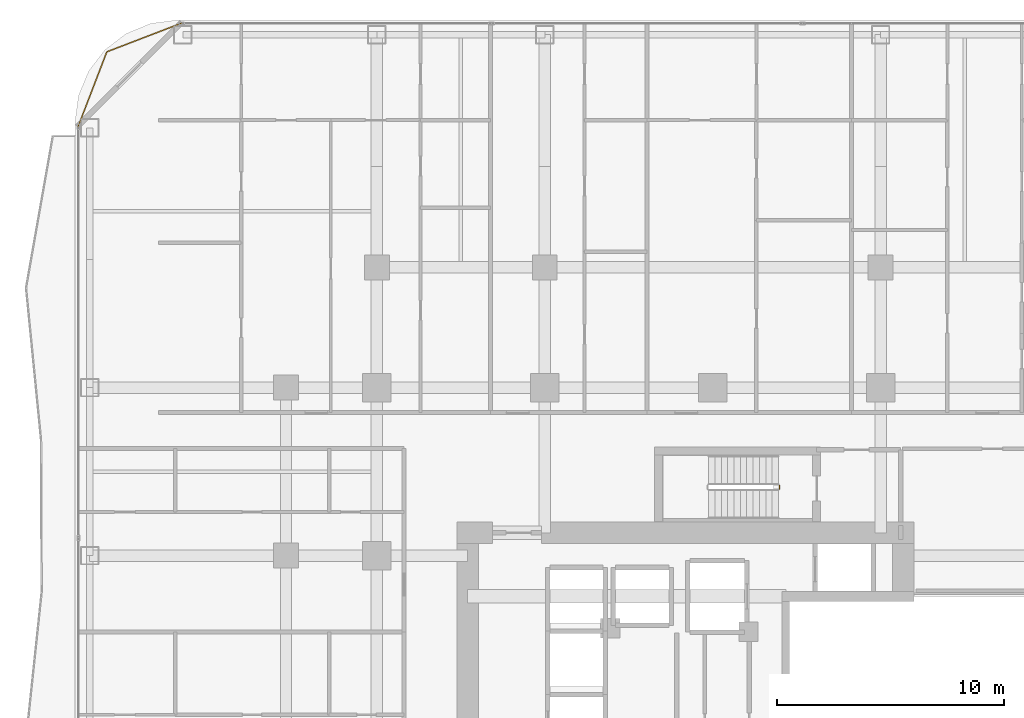
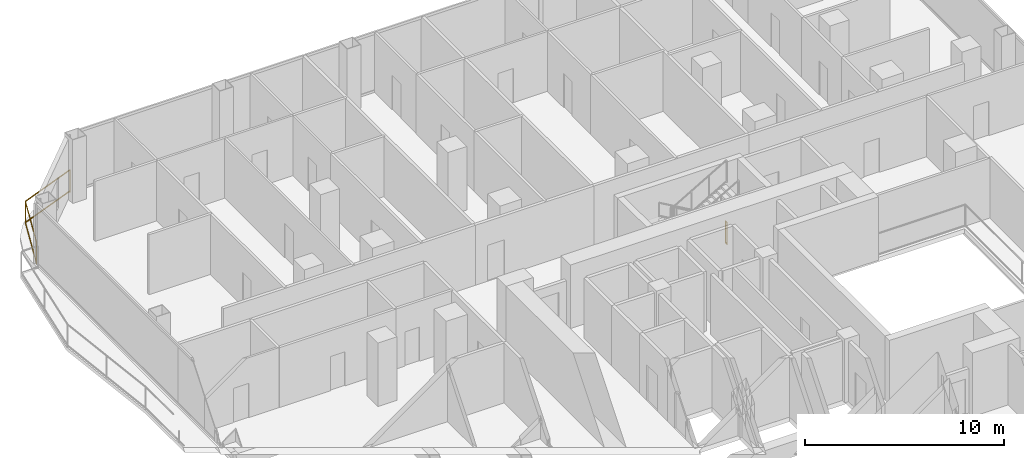
# One storey, part 28 of 29: 2 railings.
"""IFC4 building model written with IfcOpenShell, lengths in metres."""

from ifc_helpers import new_model, si_unit, direction, frame, origin, origin_2d, place, context, subcontext, project, spatial, rectangle, extrude, material, type_object, element, save


model = new_model("IFC4")

# Units and contexts
model_context = context("Model", 3, precision=1e-05, world=origin(), true_north=direction((0.0, 1.0)))
body_context = subcontext(model_context, "Body", "Model", "MODEL_VIEW")
ifc_project = project(units=[si_unit("LENGTHUNIT", "METRE"), si_unit("AREAUNIT", "SQUARE_METRE"), si_unit("VOLUMEUNIT", "CUBIC_METRE"), si_unit("PLANEANGLEUNIT", "RADIAN"), si_unit("MASSUNIT", "GRAM", prefix="KILO")], contexts=[model_context])

# Site, building, storey
site_placement = place(None, origin())
site = spatial("IfcSite", under=ifc_project, at=site_placement, CompositionType="ELEMENT")
building_placement = place(site_placement, origin())
building = spatial("IfcBuilding", under=site, at=building_placement, Name="Khorvyn Point Tower", CompositionType="ELEMENT")
storey_placement = place(building_placement, frame((0.0, 0.0, 85.199951171875)))
storey = spatial("IfcBuildingStorey", under=building, at=storey_placement, Name="L21", CompositionType="ELEMENT", Elevation=85.199951171875)

# Railings
ifc_material_1 = material(Name="Anodised aluminium 6063-T6 and laminated safety glass", Category="aluminium")
railing_type_1 = type_object("IfcRailingType", Name="Laminated Glass and Aluminium Balcony Guardrail 1400", PredefinedType="BALUSTRADE", material=ifc_material_1)
railing_1_placement = place(storey_placement, frame((-23.370849609375, 30.8740234375, 0.0)))
element("IfcRailing", 1, at=railing_1_placement, inside=storey, type_object=railing_type_1, Name="L21 Rounded Corner Edge Guardrail NW", PredefinedType="BALUSTRADE", context=body_context, shape_type="SweptSolid", body=[
    extrude(rectangle(XDim=0.048095703125, YDim=0.048095703125, at=origin_2d()), frame((0.0, 0.0, 1.3759765625), z_axis=(-0.933575007025, -0.358382067435, 0.0), x_axis=(0.358382067435, -0.933575007025, 0.0)), (0.0, 0.0, 1.0), 3.562744140625),
    extrude(rectangle(XDim=0.048095703125, YDim=0.048095703125, at=origin_2d()), frame((0.0, 0.0, 0.080078125), z_axis=(-0.933575007025, -0.358382067435, 0.0), x_axis=(0.358382067435, -0.933575007025, 0.0)), (0.0, 0.0, 1.0), 3.562744140625),
    extrude(rectangle(XDim=0.048095703125, YDim=0.048095703125, at=origin_2d()), frame((-3.326171875, -1.27685546875, 1.3759765625), z_axis=(-0.35841886047, -0.933560882031, 0.0), x_axis=(0.933560882031, -0.35841886047, 0.0)), (0.0, 0.0, 1.0), 3.563232421875),
    extrude(rectangle(XDim=0.048095703125, YDim=0.048095703125, at=origin_2d()), frame((-3.326171875, -1.27685546875, 0.080078125), z_axis=(-0.35841886047, -0.933560882031, 0.0), x_axis=(0.933560882031, -0.35841886047, 0.0)), (0.0, 0.0, 1.0), 3.563232421875),
    extrude(rectangle(XDim=0.0419921875, YDim=0.0419921875, at=origin_2d()), origin(), (0.0, 0.0, 1.0), 1.351806640625),
    extrude(rectangle(XDim=0.0419921875, YDim=0.0419921875, at=origin_2d()), frame((-3.326171875, -1.27685546875, 0.0)), (0.0, 0.0, 1.0), 1.351806640625),
    extrude(rectangle(XDim=0.0419921875, YDim=0.0419921875, at=origin_2d()), frame((-4.603271484375, -4.603271484375, 0.0)), (0.0, 0.0, 1.0), 1.351806640625),
])
ifc_material_2 = material(Name="Stainless steel 1.4301", Category="steel")
railing_type_2 = type_object("IfcRailingType", Name="Stainless Steel 304 Stair Well Guardrail 1400", PredefinedType="GUARDRAIL", material=ifc_material_2)
railing_2_placement = place(storey_placement, frame((2.949951171875, 10.5, 0.0)))
element("IfcRailing", 2, at=railing_2_placement, inside=storey, type_object=railing_type_2, Name="L21 ST-02 stair guard 4", PredefinedType="GUARDRAIL", context=body_context, shape_type="SweptSolid", body=[
    extrude(rectangle(XDim=0.048095703125, YDim=0.048095703125, at=origin_2d()), frame((0.0, 0.0, 1.3759765625), z_axis=(0.0, -1.0, 0.0), x_axis=(1.0, 0.0, 0.0)), (0.0, 0.0, 1.0), 0.159912109375),
    extrude(rectangle(XDim=0.048095703125, YDim=0.048095703125, at=origin_2d()), frame((0.0, 0.0, 0.080078125), z_axis=(0.0, -1.0, 0.0), x_axis=(1.0, 0.0, 0.0)), (0.0, 0.0, 1.0), 0.159912109375),
    extrude(rectangle(XDim=0.0419921875, YDim=0.0419921875, at=origin_2d()), origin(), (0.0, 0.0, 1.0), 1.351806640625),
    extrude(rectangle(XDim=0.0419921875, YDim=0.0419921875, at=origin_2d()), frame((0.0, -0.159912109375, 0.0)), (0.0, 0.0, 1.0), 1.351806640625),
])

save(model, "model.ifc")
